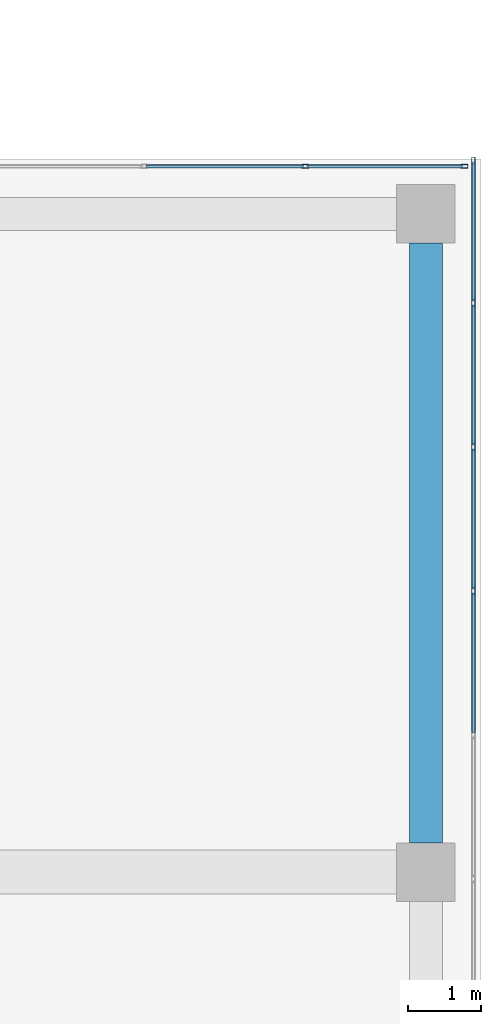
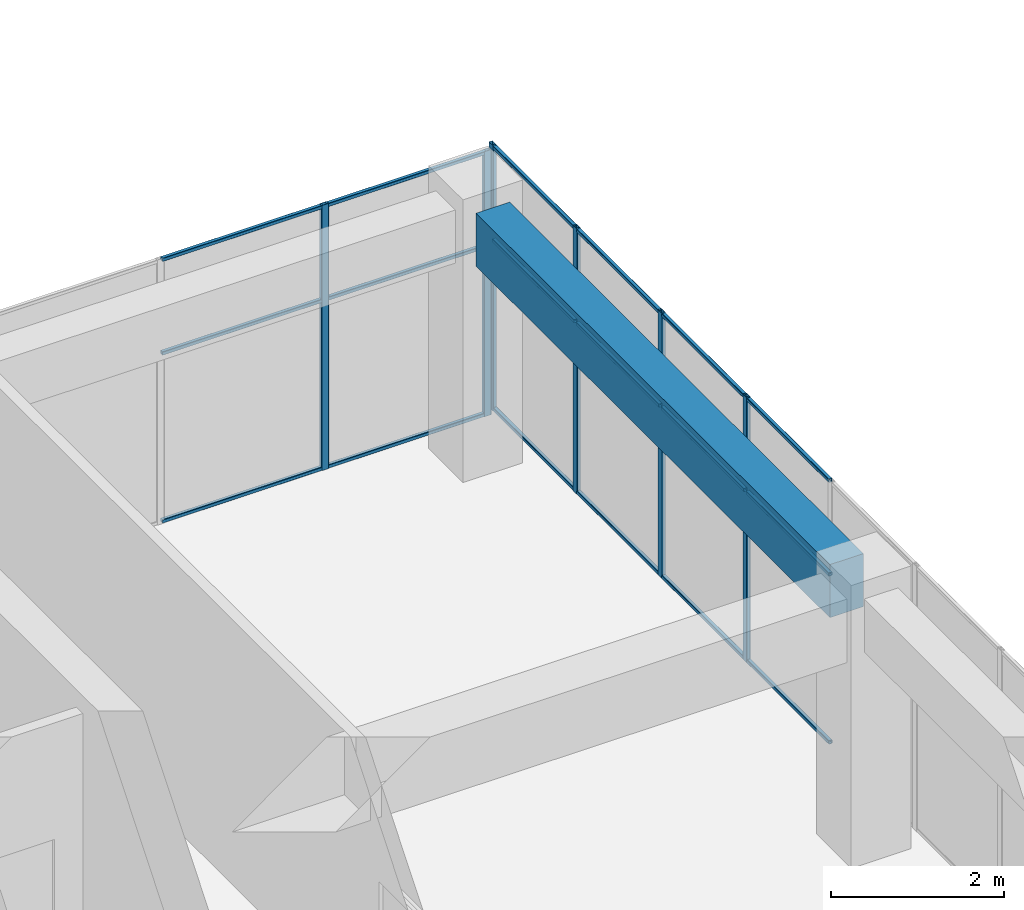
# One storey, part 40 of 55: 24 members, 1 beam, 2 elements without a shape of their own.
"""IFC4 building model written with IfcOpenShell, lengths in metres."""

from ifc_helpers import new_model, si_unit, direction, frame, origin, origin_2d, place, context, subcontext, project, spatial, rectangle, hollow_rectangle, extrude, material, layer, layer_set, material_profile, profile_set, type_object, element, aggregate, save


model = new_model("IFC4")

# Units and contexts
model_context = context("Model", 3, precision=1e-05, world=origin(), true_north=direction((0.0, 1.0)))
body_context = subcontext(model_context, "Body", "Model", "MODEL_VIEW")
ifc_project = project(units=[si_unit("LENGTHUNIT", "METRE"), si_unit("AREAUNIT", "SQUARE_METRE"), si_unit("VOLUMEUNIT", "CUBIC_METRE"), si_unit("PLANEANGLEUNIT", "RADIAN"), si_unit("MASSUNIT", "GRAM", prefix="KILO")], contexts=[model_context])

# Site, building, storey
site_placement = place(None, origin())
site = spatial("IfcSite", under=ifc_project, at=site_placement, CompositionType="ELEMENT")
building_placement = place(site_placement, origin())
building = spatial("IfcBuilding", under=site, at=building_placement, Name="Tuart Plaza Theatre", CompositionType="ELEMENT")
storey_placement = place(building_placement, frame((0.0, 0.0, 21.5)))
storey = spatial("IfcBuildingStorey", under=building, at=storey_placement, Name="L05", CompositionType="ELEMENT", Elevation=21.5)

# Beam
ifc_material_1 = material(Name="Concrete N40 (40 MPa)", Category="concrete")
ifc_material_profile_1 = material_profile(ifc_material_1, rectangle(XDim=0.449951171875, YDim=0.75, at=origin_2d()), Name="BEAM 450x750 Concrete N40 (40 MPa)")
ifc_profile_set_1 = profile_set([ifc_material_profile_1], Name="Concrete N40 (40 MPa)")
beam_type = type_object("IfcBeamType", Name="BEAM 450x750 Concrete N40 (40 MPa)", PredefinedType="BEAM", material=ifc_profile_set_1)
beam_placement = place(storey_placement, frame((150.0, 74.39990234375, 3.375), z_axis=(0.0, 1.0, 0.0), x_axis=(-1.0, 0.0, 0.0)))
element("IfcBeam", 1, at=beam_placement, inside=storey, type_object=beam_type, Name="RB240", PredefinedType="BEAM", context=body_context, shape_type="SweptSolid", body=[
    extrude(rectangle(XDim=0.449951171875, YDim=0.75, at=origin_2d()), origin(), (0.0, 0.0, 1.0), 8.2001953125),
])

# Curtain wall, members
ifc_material_2 = material(Name="Aluminium and glass", Category="aluminium")
ifc_layer = layer(ifc_material_2, 0.10009765625)
ifc_layer_set = layer_set([ifc_layer], Name="CURTAIN WALL 2000 module")
curtain_wall_type = type_object("IfcCurtainWallType", Name="CURTAIN WALL 2000 module", PredefinedType="NOTDEFINED", material=ifc_layer_set)
curtain_wall_1_placement = place(storey_placement, origin())
curtain_wall_1 = element("IfcCurtainWall", 2, at=curtain_wall_1_placement, inside=storey, type_object=curtain_wall_type, Name="CW78", PredefinedType="NOTDEFINED")
ifc_material_3 = material(Name="Aluminium 6063-T5", Category="aluminium")
ifc_material_profile_2 = material_profile(ifc_material_3, hollow_rectangle(XDim=0.050048828125, YDim=0.10009765625, WallThickness=0.00390625, InnerFilletRadius=0.00390625, OuterFilletRadius=0.008056640625, at=origin_2d()), Name="RHS 100x50x4")
ifc_profile_set_2 = profile_set([ifc_material_profile_2], Name="Aluminium 6063-T5")
member_type_1 = type_object("IfcMemberType", Name="MULLION RHS 100x50x4", PredefinedType="MULLION", material=ifc_profile_set_2)
member_1_placement = place(storey_placement, frame((150.64990234375, 77.84375, 0.0), z_axis=(0.0, 0.0, 1.0), x_axis=(-1.0, 0.0, 0.0)))
member_1 = element("IfcMember", 3, at=member_1_placement, type_object=member_type_1, Name="CW78 mullion 14", PredefinedType="MULLION", context=body_context, shape_type="SweptSolid", body=[
    extrude(hollow_rectangle(XDim=0.050048828125, YDim=0.10009765625, WallThickness=0.00390625, InnerFilletRadius=0.00390625, OuterFilletRadius=0.008056640625, at=origin_2d()), origin(), (0.0, 0.0, 1.0), 3.75),
])
member_2_placement = place(storey_placement, frame((150.64990234375, 79.8125, 0.0), z_axis=(0.0, 0.0, 1.0), x_axis=(-1.0, 0.0, 0.0)))
member_2 = element("IfcMember", 4, at=member_2_placement, type_object=member_type_1, Name="CW78 mullion 15", PredefinedType="MULLION", context=body_context, shape_type="SweptSolid", body=[
    extrude(hollow_rectangle(XDim=0.050048828125, YDim=0.10009765625, WallThickness=0.00390625, InnerFilletRadius=0.00390625, OuterFilletRadius=0.008056640625, at=origin_2d()), origin(), (0.0, 0.0, 1.0), 3.75),
])
member_3_placement = place(storey_placement, frame((150.64990234375, 81.78125, 0.0), z_axis=(0.0, 0.0, 1.0), x_axis=(-1.0, 0.0, 0.0)))
member_3 = element("IfcMember", 5, at=member_3_placement, type_object=member_type_1, Name="CW78 mullion 16", PredefinedType="MULLION", context=body_context, shape_type="SweptSolid", body=[
    extrude(hollow_rectangle(XDim=0.050048828125, YDim=0.10009765625, WallThickness=0.00390625, InnerFilletRadius=0.00390625, OuterFilletRadius=0.008056640625, at=origin_2d()), origin(), (0.0, 0.0, 1.0), 3.75),
])
member_4_placement = place(storey_placement, frame((150.64990234375, 83.72509765625, 0.0), z_axis=(0.0, 0.0, 1.0), x_axis=(-1.0, 0.0, 0.0)))
member_4 = element("IfcMember", 6, at=member_4_placement, type_object=member_type_1, Name="CW78 mullion 17", PredefinedType="MULLION", context=body_context, shape_type="SweptSolid", body=[
    extrude(hollow_rectangle(XDim=0.050048828125, YDim=0.10009765625, WallThickness=0.00390625, InnerFilletRadius=0.00390625, OuterFilletRadius=0.008056640625, at=origin_2d()), origin(), (0.0, 0.0, 1.0), 3.75),
])

curtain_wall_2_placement = place(storey_placement, origin())
curtain_wall_2 = element("IfcCurtainWall", 7, at=curtain_wall_2_placement, inside=storey, type_object=curtain_wall_type, Name="CW79", PredefinedType="NOTDEFINED")
member_5_placement = place(storey_placement, frame((150.52490234375, 83.64990234375, 0.0), z_axis=(0.0, 0.0, 1.0), x_axis=(0.0, -1.0, 0.0)))
member_5 = element("IfcMember", 8, at=member_5_placement, type_object=member_type_1, Name="CW79 mullion 1", PredefinedType="MULLION", context=body_context, shape_type="SweptSolid", body=[
    extrude(hollow_rectangle(XDim=0.050048828125, YDim=0.10009765625, WallThickness=0.00390625, InnerFilletRadius=0.00390625, OuterFilletRadius=0.008056640625, at=origin_2d()), origin(), (0.0, 0.0, 1.0), 3.75),
])
member_6_placement = place(storey_placement, frame((148.35009765625, 83.64990234375, 0.0), z_axis=(0.0, 0.0, 1.0), x_axis=(0.0, -1.0, 0.0)))
member_6 = element("IfcMember", 9, at=member_6_placement, type_object=member_type_1, Name="CW79 mullion 2", PredefinedType="MULLION", context=body_context, shape_type="SweptSolid", body=[
    extrude(hollow_rectangle(XDim=0.050048828125, YDim=0.10009765625, WallThickness=0.00390625, InnerFilletRadius=0.00390625, OuterFilletRadius=0.008056640625, at=origin_2d()), origin(), (0.0, 0.0, 1.0), 3.75),
])

# Member
ifc_material_4 = material(Name="Aluminium 6063-T5", Category="aluminium")
ifc_material_profile_3 = material_profile(ifc_material_4, hollow_rectangle(XDim=0.050048828125, YDim=0.050048828125, WallThickness=0.00390625, InnerFilletRadius=0.00390625, OuterFilletRadius=0.008056640625, at=origin_2d()), Name="RHS 50x50x4")
ifc_profile_set_3 = profile_set([ifc_material_profile_3], Name="Aluminium 6063-T5")
member_type_2 = type_object("IfcMemberType", Name="TRANSOM RHS 50x50x4", PredefinedType="USERDEFINED", material=ifc_profile_set_3)
member_7_placement = place(storey_placement, frame((150.64990234375, 75.89990234375, 0.02490234375), z_axis=(0.0, 1.0, 0.0), x_axis=(-1.0, 0.0, 0.0)))
member_7 = element("IfcMember", 10, at=member_7_placement, type_object=member_type_2, Name="CW78 transom 13.1", ObjectType="TRANSOM", PredefinedType="USERDEFINED", context=body_context, shape_type="SweptSolid", body=[
    extrude(hollow_rectangle(XDim=0.050048828125, YDim=0.050048828125, WallThickness=0.00390625, InnerFilletRadius=0.00390625, OuterFilletRadius=0.008056640625, at=origin_2d()), origin(), (0.0, 0.0, 1.0), 1.9189453125),
])

member_8_placement = place(storey_placement, frame((150.64990234375, 75.89990234375, 2.39990234375), z_axis=(0.0, 1.0, 0.0), x_axis=(-1.0, 0.0, 0.0)))
member_8 = element("IfcMember", 11, at=member_8_placement, type_object=member_type_2, Name="CW78 transom 13.2", ObjectType="TRANSOM", PredefinedType="USERDEFINED", context=body_context, shape_type="SweptSolid", body=[
    extrude(hollow_rectangle(XDim=0.050048828125, YDim=0.050048828125, WallThickness=0.00390625, InnerFilletRadius=0.00390625, OuterFilletRadius=0.008056640625, at=origin_2d()), origin(), (0.0, 0.0, 1.0), 1.9189453125),
])

member_9_placement = place(storey_placement, frame((150.64990234375, 75.89990234375, 3.72509765625), z_axis=(0.0, 1.0, 0.0), x_axis=(-1.0, 0.0, 0.0)))
member_9 = element("IfcMember", 12, at=member_9_placement, type_object=member_type_2, Name="CW78 transom 13.3", ObjectType="TRANSOM", PredefinedType="USERDEFINED", context=body_context, shape_type="SweptSolid", body=[
    extrude(hollow_rectangle(XDim=0.050048828125, YDim=0.050048828125, WallThickness=0.00390625, InnerFilletRadius=0.00390625, OuterFilletRadius=0.008056640625, at=origin_2d()), origin(), (0.0, 0.0, 1.0), 1.9189453125),
])

member_10_placement = place(storey_placement, frame((150.64990234375, 77.86865234375, 0.02490234375), z_axis=(0.0, 1.0, 0.0), x_axis=(-1.0, 0.0, 0.0)))
member_10 = element("IfcMember", 13, at=member_10_placement, type_object=member_type_2, Name="CW78 transom 14.1", ObjectType="TRANSOM", PredefinedType="USERDEFINED", context=body_context, shape_type="SweptSolid", body=[
    extrude(hollow_rectangle(XDim=0.050048828125, YDim=0.050048828125, WallThickness=0.00390625, InnerFilletRadius=0.00390625, OuterFilletRadius=0.008056640625, at=origin_2d()), origin(), (0.0, 0.0, 1.0), 1.9189453125),
])

member_11_placement = place(storey_placement, frame((150.64990234375, 77.86865234375, 2.39990234375), z_axis=(0.0, 1.0, 0.0), x_axis=(-1.0, 0.0, 0.0)))
member_11 = element("IfcMember", 14, at=member_11_placement, type_object=member_type_2, Name="CW78 transom 14.2", ObjectType="TRANSOM", PredefinedType="USERDEFINED", context=body_context, shape_type="SweptSolid", body=[
    extrude(hollow_rectangle(XDim=0.050048828125, YDim=0.050048828125, WallThickness=0.00390625, InnerFilletRadius=0.00390625, OuterFilletRadius=0.008056640625, at=origin_2d()), origin(), (0.0, 0.0, 1.0), 1.9189453125),
])

member_12_placement = place(storey_placement, frame((150.64990234375, 77.86865234375, 3.72509765625), z_axis=(0.0, 1.0, 0.0), x_axis=(-1.0, 0.0, 0.0)))
member_12 = element("IfcMember", 15, at=member_12_placement, type_object=member_type_2, Name="CW78 transom 14.3", ObjectType="TRANSOM", PredefinedType="USERDEFINED", context=body_context, shape_type="SweptSolid", body=[
    extrude(hollow_rectangle(XDim=0.050048828125, YDim=0.050048828125, WallThickness=0.00390625, InnerFilletRadius=0.00390625, OuterFilletRadius=0.008056640625, at=origin_2d()), origin(), (0.0, 0.0, 1.0), 1.9189453125),
])

member_13_placement = place(storey_placement, frame((150.64990234375, 79.83740234375, 0.02490234375), z_axis=(0.0, 1.0, 0.0), x_axis=(-1.0, 0.0, 0.0)))
member_13 = element("IfcMember", 16, at=member_13_placement, type_object=member_type_2, Name="CW78 transom 15.1", ObjectType="TRANSOM", PredefinedType="USERDEFINED", context=body_context, shape_type="SweptSolid", body=[
    extrude(hollow_rectangle(XDim=0.050048828125, YDim=0.050048828125, WallThickness=0.00390625, InnerFilletRadius=0.00390625, OuterFilletRadius=0.008056640625, at=origin_2d()), origin(), (0.0, 0.0, 1.0), 1.9189453125),
])

member_14_placement = place(storey_placement, frame((150.64990234375, 79.83740234375, 2.39990234375), z_axis=(0.0, 1.0, 0.0), x_axis=(-1.0, 0.0, 0.0)))
member_14 = element("IfcMember", 17, at=member_14_placement, type_object=member_type_2, Name="CW78 transom 15.2", ObjectType="TRANSOM", PredefinedType="USERDEFINED", context=body_context, shape_type="SweptSolid", body=[
    extrude(hollow_rectangle(XDim=0.050048828125, YDim=0.050048828125, WallThickness=0.00390625, InnerFilletRadius=0.00390625, OuterFilletRadius=0.008056640625, at=origin_2d()), origin(), (0.0, 0.0, 1.0), 1.9189453125),
])

member_15_placement = place(storey_placement, frame((150.64990234375, 79.83740234375, 3.72509765625), z_axis=(0.0, 1.0, 0.0), x_axis=(-1.0, 0.0, 0.0)))
member_15 = element("IfcMember", 18, at=member_15_placement, type_object=member_type_2, Name="CW78 transom 15.3", ObjectType="TRANSOM", PredefinedType="USERDEFINED", context=body_context, shape_type="SweptSolid", body=[
    extrude(hollow_rectangle(XDim=0.050048828125, YDim=0.050048828125, WallThickness=0.00390625, InnerFilletRadius=0.00390625, OuterFilletRadius=0.008056640625, at=origin_2d()), origin(), (0.0, 0.0, 1.0), 1.9189453125),
])

member_16_placement = place(storey_placement, frame((150.64990234375, 81.80615234375, 0.02490234375), z_axis=(0.0, 1.0, 0.0), x_axis=(-1.0, 0.0, 0.0)))
member_16 = element("IfcMember", 19, at=member_16_placement, type_object=member_type_2, Name="CW78 transom 16.1", ObjectType="TRANSOM", PredefinedType="USERDEFINED", context=body_context, shape_type="SweptSolid", body=[
    extrude(hollow_rectangle(XDim=0.050048828125, YDim=0.050048828125, WallThickness=0.00390625, InnerFilletRadius=0.00390625, OuterFilletRadius=0.008056640625, at=origin_2d()), origin(), (0.0, 0.0, 1.0), 1.893798828125),
])

member_17_placement = place(storey_placement, frame((150.64990234375, 81.80615234375, 2.39990234375), z_axis=(0.0, 1.0, 0.0), x_axis=(-1.0, 0.0, 0.0)))
member_17 = element("IfcMember", 20, at=member_17_placement, type_object=member_type_2, Name="CW78 transom 16.2", ObjectType="TRANSOM", PredefinedType="USERDEFINED", context=body_context, shape_type="SweptSolid", body=[
    extrude(hollow_rectangle(XDim=0.050048828125, YDim=0.050048828125, WallThickness=0.00390625, InnerFilletRadius=0.00390625, OuterFilletRadius=0.008056640625, at=origin_2d()), origin(), (0.0, 0.0, 1.0), 1.893798828125),
])

member_18_placement = place(storey_placement, frame((150.64990234375, 81.80615234375, 3.72509765625), z_axis=(0.0, 1.0, 0.0), x_axis=(-1.0, 0.0, 0.0)))
member_18 = element("IfcMember", 21, at=member_18_placement, type_object=member_type_2, Name="CW78 transom 16.3", ObjectType="TRANSOM", PredefinedType="USERDEFINED", context=body_context, shape_type="SweptSolid", body=[
    extrude(hollow_rectangle(XDim=0.050048828125, YDim=0.050048828125, WallThickness=0.00390625, InnerFilletRadius=0.00390625, OuterFilletRadius=0.008056640625, at=origin_2d()), origin(), (0.0, 0.0, 1.0), 1.893798828125),
])

aggregate(curtain_wall_1, [member_1, member_2, member_3, member_4, member_7, member_8, member_9, member_10, member_11, member_12, member_13, member_14, member_15, member_16, member_17, member_18])

member_19_placement = place(storey_placement, frame((150.5, 83.64990234375, 0.02490234375), z_axis=(-1.0, 0.0, 0.0), x_axis=(0.0, -1.0, 0.0)))
member_19 = element("IfcMember", 22, at=member_19_placement, type_object=member_type_2, Name="CW79 transom 1.1", ObjectType="TRANSOM", PredefinedType="USERDEFINED", context=body_context, shape_type="SweptSolid", body=[
    extrude(hollow_rectangle(XDim=0.050048828125, YDim=0.050048828125, WallThickness=0.00390625, InnerFilletRadius=0.00390625, OuterFilletRadius=0.008056640625, at=origin_2d()), origin(), (0.0, 0.0, 1.0), 2.125),
])

member_20_placement = place(storey_placement, frame((150.5, 83.64990234375, 2.39990234375), z_axis=(-1.0, 0.0, 0.0), x_axis=(0.0, -1.0, 0.0)))
member_20 = element("IfcMember", 23, at=member_20_placement, type_object=member_type_2, Name="CW79 transom 1.2", ObjectType="TRANSOM", PredefinedType="USERDEFINED", context=body_context, shape_type="SweptSolid", body=[
    extrude(hollow_rectangle(XDim=0.050048828125, YDim=0.050048828125, WallThickness=0.00390625, InnerFilletRadius=0.00390625, OuterFilletRadius=0.008056640625, at=origin_2d()), origin(), (0.0, 0.0, 1.0), 2.125),
])

member_21_placement = place(storey_placement, frame((150.5, 83.64990234375, 3.72509765625), z_axis=(-1.0, 0.0, 0.0), x_axis=(0.0, -1.0, 0.0)))
member_21 = element("IfcMember", 24, at=member_21_placement, type_object=member_type_2, Name="CW79 transom 1.3", ObjectType="TRANSOM", PredefinedType="USERDEFINED", context=body_context, shape_type="SweptSolid", body=[
    extrude(hollow_rectangle(XDim=0.050048828125, YDim=0.050048828125, WallThickness=0.00390625, InnerFilletRadius=0.00390625, OuterFilletRadius=0.008056640625, at=origin_2d()), origin(), (0.0, 0.0, 1.0), 2.125),
])

member_22_placement = place(storey_placement, frame((148.324951171875, 83.64990234375, 0.02490234375), z_axis=(-1.0, 0.0, 0.0), x_axis=(0.0, -1.0, 0.0)))
member_22 = element("IfcMember", 25, at=member_22_placement, type_object=member_type_2, Name="CW79 transom 2.1", ObjectType="TRANSOM", PredefinedType="USERDEFINED", context=body_context, shape_type="SweptSolid", body=[
    extrude(hollow_rectangle(XDim=0.050048828125, YDim=0.050048828125, WallThickness=0.00390625, InnerFilletRadius=0.00390625, OuterFilletRadius=0.008056640625, at=origin_2d()), origin(), (0.0, 0.0, 1.0), 2.14990234375),
])

member_23_placement = place(storey_placement, frame((148.324951171875, 83.64990234375, 2.39990234375), z_axis=(-1.0, 0.0, 0.0), x_axis=(0.0, -1.0, 0.0)))
member_23 = element("IfcMember", 26, at=member_23_placement, type_object=member_type_2, Name="CW79 transom 2.2", ObjectType="TRANSOM", PredefinedType="USERDEFINED", context=body_context, shape_type="SweptSolid", body=[
    extrude(hollow_rectangle(XDim=0.050048828125, YDim=0.050048828125, WallThickness=0.00390625, InnerFilletRadius=0.00390625, OuterFilletRadius=0.008056640625, at=origin_2d()), origin(), (0.0, 0.0, 1.0), 2.14990234375),
])

member_24_placement = place(storey_placement, frame((148.324951171875, 83.64990234375, 3.72509765625), z_axis=(-1.0, 0.0, 0.0), x_axis=(0.0, -1.0, 0.0)))
member_24 = element("IfcMember", 27, at=member_24_placement, type_object=member_type_2, Name="CW79 transom 2.3", ObjectType="TRANSOM", PredefinedType="USERDEFINED", context=body_context, shape_type="SweptSolid", body=[
    extrude(hollow_rectangle(XDim=0.050048828125, YDim=0.050048828125, WallThickness=0.00390625, InnerFilletRadius=0.00390625, OuterFilletRadius=0.008056640625, at=origin_2d()), origin(), (0.0, 0.0, 1.0), 2.14990234375),
])

aggregate(curtain_wall_2, [member_5, member_6, member_19, member_20, member_21, member_22, member_23, member_24])

save(model, "model.ifc")
